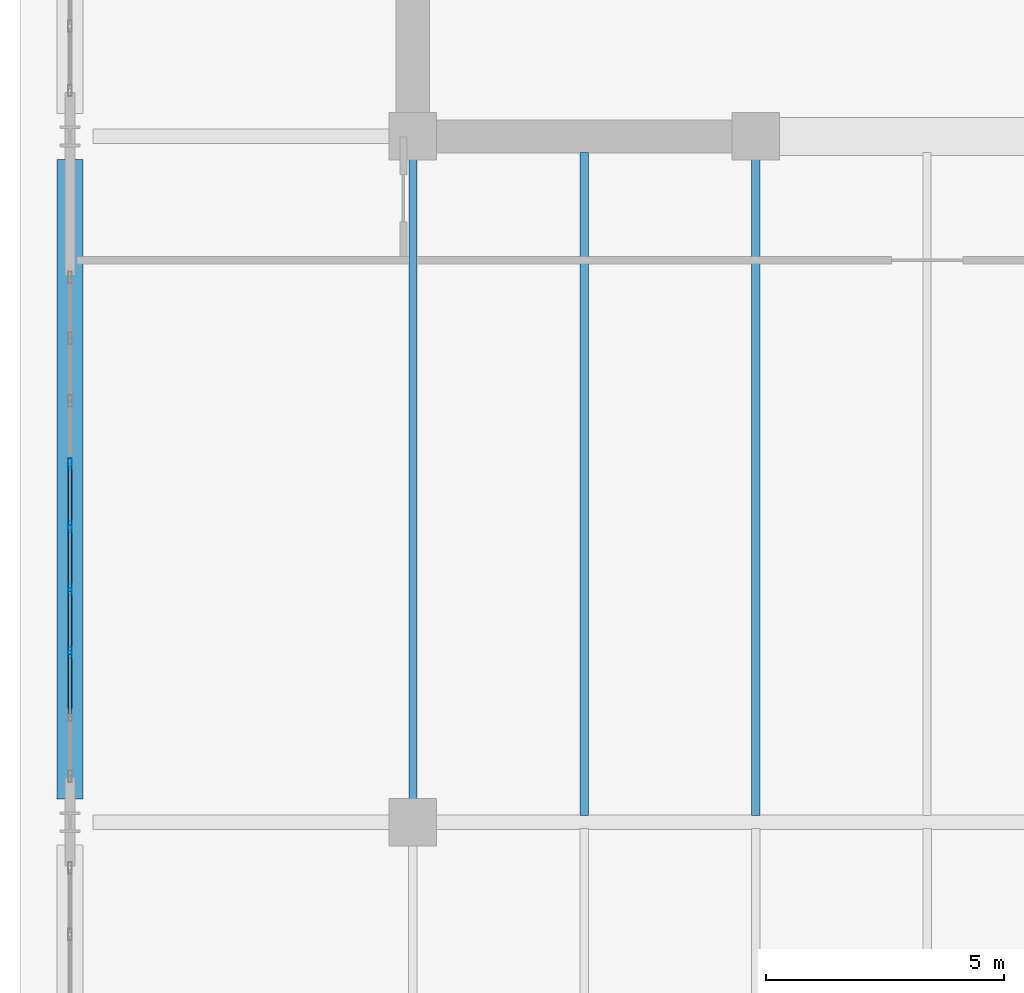
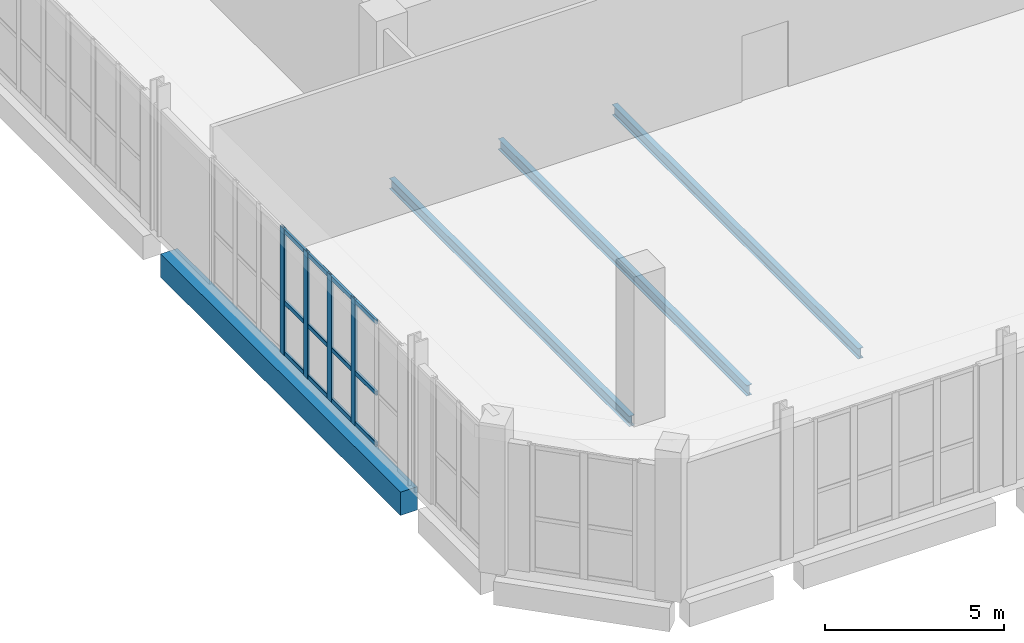
# One storey, part 3 of 26: 16 members, 4 beams, 1 element without a shape of its own.
"""IFC4 building model written with IfcOpenShell, lengths in metres."""

from ifc_helpers import new_model, si_unit, direction, frame, origin, origin_2d, place, context, subcontext, project, spatial, rectangle, hollow_rectangle, i_section, extrude, material, layer, layer_set, material_profile, profile_set, type_object, element, aggregate, save


model = new_model("IFC4")

# Units and contexts
model_context = context("Model", 3, precision=1e-05, world=origin(), true_north=direction((0.0, 1.0)))
body_context = subcontext(model_context, "Body", "Model", "MODEL_VIEW")
ifc_project = project(units=[si_unit("LENGTHUNIT", "METRE"), si_unit("AREAUNIT", "SQUARE_METRE"), si_unit("VOLUMEUNIT", "CUBIC_METRE"), si_unit("PLANEANGLEUNIT", "RADIAN"), si_unit("MASSUNIT", "GRAM", prefix="KILO")], contexts=[model_context])

# Site, building, storey
site_placement = place(None, origin())
site = spatial("IfcSite", under=ifc_project, at=site_placement, CompositionType="ELEMENT")
building_placement = place(site_placement, origin())
building = spatial("IfcBuilding", under=site, at=building_placement, Name="Kaelvorn Grand Hotel", CompositionType="ELEMENT")
storey_placement = place(building_placement, frame((0.0, 0.0, 294.699951171875)))
storey = spatial("IfcBuildingStorey", under=building, at=storey_placement, Name="L72", CompositionType="ELEMENT", Elevation=294.699951171875)

# Beams
ifc_material_1 = material(Name="Steel S355", Category="steel")
ifc_material_profile_1 = material_profile(ifc_material_1, i_section(OverallWidth=0.169921875, OverallDepth=0.360107421875, WebThickness=0.008056640625, FlangeThickness=0.0126953125, FilletRadius=0.01806640625, at=origin_2d()), Name="IPE 360")
ifc_profile_set_1 = profile_set([ifc_material_profile_1], Name="Steel S355")
beam_type_1 = type_object("IfcBeamType", Name="BM-J-IPE360-S355", PredefinedType="JOIST", material=ifc_profile_set_1)
beam_1_placement = place(storey_placement, frame((16.199951171875, 15.485107421875, -0.56005859375), z_axis=(0.0, 1.0, 0.0), x_axis=(-1.0, 0.0, 0.0)))
element("IfcBeam", 1, at=beam_1_placement, inside=storey, type_object=beam_type_1, Name="L72 Composite Floor Joist JM-05", PredefinedType="JOIST", context=body_context, shape_type="SweptSolid", body=[
    extrude(i_section(OverallWidth=0.169921875, OverallDepth=0.360107421875, WebThickness=0.008056640625, FlangeThickness=0.0126953125, FilletRadius=0.01806640625, at=origin_2d()), origin(), (0.0, 0.0, 1.0), 13.429931640625),
])
beam_2_placement = place(storey_placement, frame((19.800048828125, 15.135986328125, -0.56005859375), z_axis=(0.0, 1.0, 0.0), x_axis=(-1.0, 0.0, 0.0)))
element("IfcBeam", 2, at=beam_2_placement, inside=storey, type_object=beam_type_1, Name="L72 Composite Floor Joist JM-06", PredefinedType="JOIST", context=body_context, shape_type="SweptSolid", body=[
    extrude(i_section(OverallWidth=0.169921875, OverallDepth=0.360107421875, WebThickness=0.008056640625, FlangeThickness=0.0126953125, FilletRadius=0.01806640625, at=origin_2d()), origin(), (0.0, 0.0, 1.0), 13.924072265625),
])
beam_3_placement = place(storey_placement, frame((23.39990234375, 15.135986328125, -0.56005859375), z_axis=(0.0, 1.0, 0.0), x_axis=(-1.0, 0.0, 0.0)))
element("IfcBeam", 3, at=beam_3_placement, inside=storey, type_object=beam_type_1, Name="L72 Composite Floor Joist JM-07", PredefinedType="JOIST", context=body_context, shape_type="SweptSolid", body=[
    extrude(i_section(OverallWidth=0.169921875, OverallDepth=0.360107421875, WebThickness=0.008056640625, FlangeThickness=0.0126953125, FilletRadius=0.01806640625, at=origin_2d()), origin(), (0.0, 0.0, 1.0), 13.779052734375),
])
ifc_material_2 = material(Name="Concrete C50/60", Category="concrete")
ifc_material_profile_2 = material_profile(ifc_material_2, rectangle(XDim=0.550048828125, YDim=0.800048828125, at=origin_2d()), Name="RC SPANDREL 550x800")
ifc_profile_set_2 = profile_set([ifc_material_profile_2], Name="Concrete C50/60")
beam_type_2 = type_object("IfcBeamType", Name="BM-SP-550x800-C50", PredefinedType="SPANDREL", material=ifc_profile_set_2)
beam_4_placement = place(storey_placement, frame((9.0, 15.485107421875, -0.780029296875), z_axis=(0.0, 1.0, 0.0), x_axis=(-1.0, 0.0, 0.0)))
element("IfcBeam", 4, at=beam_4_placement, inside=storey, type_object=beam_type_2, Name="L72 West Perimeter Spandrel 02", PredefinedType="SPANDREL", context=body_context, shape_type="SweptSolid", body=[
    extrude(rectangle(XDim=0.550048828125, YDim=0.800048828125, at=origin_2d()), origin(), (0.0, 0.0, 1.0), 13.429931640625),
])

# Curtain wall, members
ifc_material_3 = material(Name="Anodised Aluminium", Category="aluminium")
ifc_layer = layer(ifc_material_3, 0.239990234375)
ifc_layer_set = layer_set([ifc_layer], Name="Anodised Aluminium")
curtain_wall_type = type_object("IfcCurtainWallType", Name="CW-SYS5", PredefinedType="NOTDEFINED", material=ifc_layer_set)
curtain_wall_placement = place(storey_placement, origin())
curtain_wall = element("IfcCurtainWall", 5, at=curtain_wall_placement, inside=storey, type_object=curtain_wall_type, Name="L72 Unitised Curtain Wall CW5 (CW-L72-W-02)", PredefinedType="NOTDEFINED")
ifc_material_profile_3 = material_profile(ifc_material_3, hollow_rectangle(XDim=0.080078125, YDim=0.239990234375, WallThickness=0.0048828125, InnerFilletRadius=0.0048828125, OuterFilletRadius=0.010009765625, at=origin_2d()), Name="ALU MULL 80x240")
ifc_profile_set_3 = profile_set([ifc_material_profile_3], Name="Anodised Aluminium")
member_type_1 = type_object("IfcMemberType", Name="CW-SYS5-MULL", PredefinedType="MULLION", material=ifc_profile_set_3)
member_1_placement = place(storey_placement, frame((9.0, 22.52001953125, 0.0), z_axis=(0.0, 0.0, 1.0), x_axis=(1.0, 0.0, 0.0)))
member_1 = element("IfcMember", 6, at=member_1_placement, type_object=member_type_1, Name="CW5 mullion 4", PredefinedType="MULLION", context=body_context, shape_type="SweptSolid", body=[
    extrude(hollow_rectangle(XDim=0.080078125, YDim=0.239990234375, WallThickness=0.0048828125, InnerFilletRadius=0.0048828125, OuterFilletRadius=0.010009765625, at=origin_2d()), origin(), (0.0, 0.0, 1.0), 4.320068359375),
])
member_2_placement = place(storey_placement, frame((9.0, 21.199951171875, 0.0), z_axis=(0.0, 0.0, 1.0), x_axis=(1.0, 0.0, 0.0)))
member_2 = element("IfcMember", 7, at=member_2_placement, type_object=member_type_1, Name="CW5 mullion 5", PredefinedType="MULLION", context=body_context, shape_type="SweptSolid", body=[
    extrude(hollow_rectangle(XDim=0.080078125, YDim=0.239990234375, WallThickness=0.0048828125, InnerFilletRadius=0.0048828125, OuterFilletRadius=0.010009765625, at=origin_2d()), origin(), (0.0, 0.0, 1.0), 4.320068359375),
])
member_3_placement = place(storey_placement, frame((9.0, 19.8798828125, 0.0), z_axis=(0.0, 0.0, 1.0), x_axis=(1.0, 0.0, 0.0)))
member_3 = element("IfcMember", 8, at=member_3_placement, type_object=member_type_1, Name="CW5 mullion 6", PredefinedType="MULLION", context=body_context, shape_type="SweptSolid", body=[
    extrude(hollow_rectangle(XDim=0.080078125, YDim=0.239990234375, WallThickness=0.0048828125, InnerFilletRadius=0.0048828125, OuterFilletRadius=0.010009765625, at=origin_2d()), origin(), (0.0, 0.0, 1.0), 4.320068359375),
])
member_4_placement = place(storey_placement, frame((9.0, 18.56005859375, 0.0), z_axis=(0.0, 0.0, 1.0), x_axis=(1.0, 0.0, 0.0)))
member_4 = element("IfcMember", 9, at=member_4_placement, type_object=member_type_1, Name="CW5 mullion 7", PredefinedType="MULLION", context=body_context, shape_type="SweptSolid", body=[
    extrude(hollow_rectangle(XDim=0.080078125, YDim=0.239990234375, WallThickness=0.0048828125, InnerFilletRadius=0.0048828125, OuterFilletRadius=0.010009765625, at=origin_2d()), origin(), (0.0, 0.0, 1.0), 4.320068359375),
])
ifc_material_profile_4 = material_profile(ifc_material_3, hollow_rectangle(XDim=0.074951171875, YDim=0.14990234375, WallThickness=0.00390625, InnerFilletRadius=0.00390625, OuterFilletRadius=0.008056640625, at=origin_2d()), Name="ALU TRAN 75x150")
ifc_profile_set_4 = profile_set([ifc_material_profile_4], Name="Anodised Aluminium")
member_type_2 = type_object("IfcMemberType", Name="CW-SYS5-TRAN", PredefinedType="NOTDEFINED", material=ifc_profile_set_4)
member_5_placement = place(storey_placement, frame((9.0, 22.47998046875, 0.074951171875), z_axis=(0.0, -1.0, 0.0), x_axis=(1.0, 0.0, 0.0)))
member_5 = element("IfcMember", 10, at=member_5_placement, type_object=member_type_2, Name="CW5 transom 4.1", ObjectType="TRANSOM", PredefinedType="USERDEFINED", context=body_context, shape_type="SweptSolid", body=[
    extrude(hollow_rectangle(XDim=0.074951171875, YDim=0.14990234375, WallThickness=0.00390625, InnerFilletRadius=0.00390625, OuterFilletRadius=0.008056640625, at=origin_2d()), origin(), (0.0, 0.0, 1.0), 1.239990234375),
])
member_6_placement = place(storey_placement, frame((9.0, 22.47998046875, 1.814453125), z_axis=(0.0, -1.0, 0.0), x_axis=(1.0, 0.0, 0.0)))
member_6 = element("IfcMember", 11, at=member_6_placement, type_object=member_type_2, Name="CW5 transom 4.2", ObjectType="TRANSOM", PredefinedType="USERDEFINED", context=body_context, shape_type="SweptSolid", body=[
    extrude(hollow_rectangle(XDim=0.074951171875, YDim=0.14990234375, WallThickness=0.00390625, InnerFilletRadius=0.00390625, OuterFilletRadius=0.008056640625, at=origin_2d()), origin(), (0.0, 0.0, 1.0), 1.239990234375),
])
member_7_placement = place(storey_placement, frame((9.0, 22.47998046875, 4.2451171875), z_axis=(0.0, -1.0, 0.0), x_axis=(1.0, 0.0, 0.0)))
member_7 = element("IfcMember", 12, at=member_7_placement, type_object=member_type_2, Name="CW5 transom 4.3", ObjectType="TRANSOM", PredefinedType="USERDEFINED", context=body_context, shape_type="SweptSolid", body=[
    extrude(hollow_rectangle(XDim=0.074951171875, YDim=0.14990234375, WallThickness=0.00390625, InnerFilletRadius=0.00390625, OuterFilletRadius=0.008056640625, at=origin_2d()), origin(), (0.0, 0.0, 1.0), 1.239990234375),
])
member_8_placement = place(storey_placement, frame((9.0, 21.159912109375, 0.074951171875), z_axis=(0.0, -1.0, 0.0), x_axis=(1.0, 0.0, 0.0)))
member_8 = element("IfcMember", 13, at=member_8_placement, type_object=member_type_2, Name="CW5 transom 5.1", ObjectType="TRANSOM", PredefinedType="USERDEFINED", context=body_context, shape_type="SweptSolid", body=[
    extrude(hollow_rectangle(XDim=0.074951171875, YDim=0.14990234375, WallThickness=0.00390625, InnerFilletRadius=0.00390625, OuterFilletRadius=0.008056640625, at=origin_2d()), origin(), (0.0, 0.0, 1.0), 1.239990234375),
])
member_9_placement = place(storey_placement, frame((9.0, 21.159912109375, 1.814453125), z_axis=(0.0, -1.0, 0.0), x_axis=(1.0, 0.0, 0.0)))
member_9 = element("IfcMember", 14, at=member_9_placement, type_object=member_type_2, Name="CW5 transom 5.2", ObjectType="TRANSOM", PredefinedType="USERDEFINED", context=body_context, shape_type="SweptSolid", body=[
    extrude(hollow_rectangle(XDim=0.074951171875, YDim=0.14990234375, WallThickness=0.00390625, InnerFilletRadius=0.00390625, OuterFilletRadius=0.008056640625, at=origin_2d()), origin(), (0.0, 0.0, 1.0), 1.239990234375),
])
member_10_placement = place(storey_placement, frame((9.0, 21.159912109375, 4.2451171875), z_axis=(0.0, -1.0, 0.0), x_axis=(1.0, 0.0, 0.0)))
member_10 = element("IfcMember", 15, at=member_10_placement, type_object=member_type_2, Name="CW5 transom 5.3", ObjectType="TRANSOM", PredefinedType="USERDEFINED", context=body_context, shape_type="SweptSolid", body=[
    extrude(hollow_rectangle(XDim=0.074951171875, YDim=0.14990234375, WallThickness=0.00390625, InnerFilletRadius=0.00390625, OuterFilletRadius=0.008056640625, at=origin_2d()), origin(), (0.0, 0.0, 1.0), 1.239990234375),
])
member_11_placement = place(storey_placement, frame((9.0, 19.840087890625, 0.074951171875), z_axis=(0.0, -1.0, 0.0), x_axis=(1.0, 0.0, 0.0)))
member_11 = element("IfcMember", 16, at=member_11_placement, type_object=member_type_2, Name="CW5 transom 6.1", ObjectType="TRANSOM", PredefinedType="USERDEFINED", context=body_context, shape_type="SweptSolid", body=[
    extrude(hollow_rectangle(XDim=0.074951171875, YDim=0.14990234375, WallThickness=0.00390625, InnerFilletRadius=0.00390625, OuterFilletRadius=0.008056640625, at=origin_2d()), origin(), (0.0, 0.0, 1.0), 1.239990234375),
])
member_12_placement = place(storey_placement, frame((9.0, 19.840087890625, 1.814453125), z_axis=(0.0, -1.0, 0.0), x_axis=(1.0, 0.0, 0.0)))
member_12 = element("IfcMember", 17, at=member_12_placement, type_object=member_type_2, Name="CW5 transom 6.2", ObjectType="TRANSOM", PredefinedType="USERDEFINED", context=body_context, shape_type="SweptSolid", body=[
    extrude(hollow_rectangle(XDim=0.074951171875, YDim=0.14990234375, WallThickness=0.00390625, InnerFilletRadius=0.00390625, OuterFilletRadius=0.008056640625, at=origin_2d()), origin(), (0.0, 0.0, 1.0), 1.239990234375),
])
member_13_placement = place(storey_placement, frame((9.0, 19.840087890625, 4.2451171875), z_axis=(0.0, -1.0, 0.0), x_axis=(1.0, 0.0, 0.0)))
member_13 = element("IfcMember", 18, at=member_13_placement, type_object=member_type_2, Name="CW5 transom 6.3", ObjectType="TRANSOM", PredefinedType="USERDEFINED", context=body_context, shape_type="SweptSolid", body=[
    extrude(hollow_rectangle(XDim=0.074951171875, YDim=0.14990234375, WallThickness=0.00390625, InnerFilletRadius=0.00390625, OuterFilletRadius=0.008056640625, at=origin_2d()), origin(), (0.0, 0.0, 1.0), 1.239990234375),
])
member_14_placement = place(storey_placement, frame((9.0, 18.52001953125, 0.074951171875), z_axis=(0.0, -1.0, 0.0), x_axis=(1.0, 0.0, 0.0)))
member_14 = element("IfcMember", 19, at=member_14_placement, type_object=member_type_2, Name="CW5 transom 7.1", ObjectType="TRANSOM", PredefinedType="USERDEFINED", context=body_context, shape_type="SweptSolid", body=[
    extrude(hollow_rectangle(XDim=0.074951171875, YDim=0.14990234375, WallThickness=0.00390625, InnerFilletRadius=0.00390625, OuterFilletRadius=0.008056640625, at=origin_2d()), origin(), (0.0, 0.0, 1.0), 1.239990234375),
])
member_15_placement = place(storey_placement, frame((9.0, 18.52001953125, 1.814453125), z_axis=(0.0, -1.0, 0.0), x_axis=(1.0, 0.0, 0.0)))
member_15 = element("IfcMember", 20, at=member_15_placement, type_object=member_type_2, Name="CW5 transom 7.2", ObjectType="TRANSOM", PredefinedType="USERDEFINED", context=body_context, shape_type="SweptSolid", body=[
    extrude(hollow_rectangle(XDim=0.074951171875, YDim=0.14990234375, WallThickness=0.00390625, InnerFilletRadius=0.00390625, OuterFilletRadius=0.008056640625, at=origin_2d()), origin(), (0.0, 0.0, 1.0), 1.239990234375),
])
member_16_placement = place(storey_placement, frame((9.0, 18.52001953125, 4.2451171875), z_axis=(0.0, -1.0, 0.0), x_axis=(1.0, 0.0, 0.0)))
member_16 = element("IfcMember", 21, at=member_16_placement, type_object=member_type_2, Name="CW5 transom 7.3", ObjectType="TRANSOM", PredefinedType="USERDEFINED", context=body_context, shape_type="SweptSolid", body=[
    extrude(hollow_rectangle(XDim=0.074951171875, YDim=0.14990234375, WallThickness=0.00390625, InnerFilletRadius=0.00390625, OuterFilletRadius=0.008056640625, at=origin_2d()), origin(), (0.0, 0.0, 1.0), 1.239990234375),
])
aggregate(curtain_wall, [member_1, member_2, member_3, member_4, member_5, member_6, member_7, member_8, member_9, member_10, member_11, member_12, member_13, member_14, member_15, member_16])

save(model, "model.ifc")
